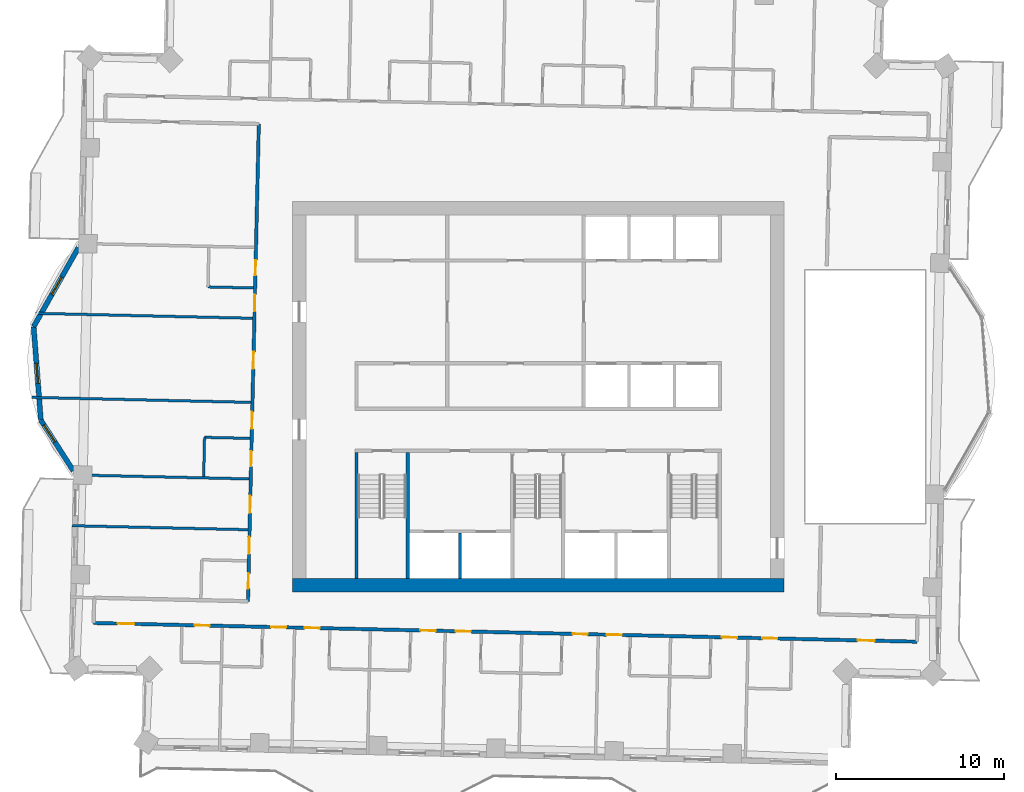
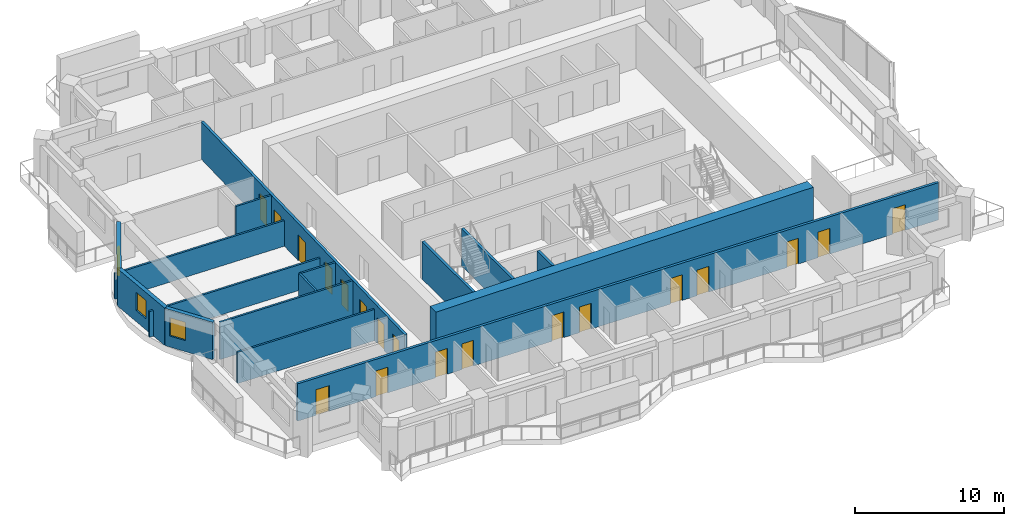
# One storey, part 7 of 16: 19 doors, 16 walls, 3 windows, 22 openings.
"""IFC4 building model written with IfcOpenShell, lengths in metres."""

import ifcopenshell
import ifcopenshell.guid

model = None  # the IFC model being written
_history = None  # IfcOwnerHistory: only IFC2X3 demands one
_inside = {}  # id of a spatial element -> (the spatial element, [elements in it])
_under = {}  # id of a project, library or spatial element -> (it, [spatial elements below it])
_declared = {}  # id of a project -> (the project, [libraries it declares])
_typed = {}  # id of a type object -> (the type object, [elements of that type])
_made_of = {}  # id of a material, layer set ... -> (it, [elements and type objects made of it])


def new_model(schema):
    """Start an empty IFC model of exactly this schema.

    Asked for "IFC4X3", IfcOpenShell would pick the latest addendum, in which some entities
    have other attributes; the version numbers below select the first issue.
    IFC2X3 requires an IfcOwnerHistory on every rooted entity: one is made here for all.
    """
    global model, _history
    if schema == "IFC4X3":
        model = ifcopenshell.file(schema_version=(4, 3, 0, 0))
    else:
        model = ifcopenshell.file(schema=schema)
    _inside.clear()
    _under.clear()
    _declared.clear()
    _typed.clear()
    _made_of.clear()
    _history = None
    if model.schema == "IFC2X3":
        org = make("IfcOrganization", Name="unknown")
        user = make(
            "IfcPersonAndOrganization",
            ThePerson=make("IfcPerson", FamilyName="unknown"),
            TheOrganization=org,
        )
        app = make(
            "IfcApplication",
            ApplicationDeveloper=org,
            Version="unknown",
            ApplicationFullName="unknown",
            ApplicationIdentifier="unknown",
        )
        _history = make(
            "IfcOwnerHistory",
            OwningUser=user,
            OwningApplication=app,
            ChangeAction="ADDED",
            CreationDate=0,
        )
    return model


def make(cls, **values):
    """One entity of the class cls with the attributes given. An attribute that is None is left unset."""
    return model.create_entity(
        cls, **{name: value for name, value in values.items() if value is not None}
    )


def rooted(cls, **values):
    """An entity with a GlobalId (a new one), such as an element, a storey or a relation."""
    return make(cls, GlobalId=ifcopenshell.guid.new(), OwnerHistory=_history, **values)


def si_unit(unit_type, name, prefix=None):
    """IfcSIUnit, for example si_unit("LENGTHUNIT", "METRE", prefix="MILLI")."""
    return make("IfcSIUnit", UnitType=unit_type, Prefix=prefix, Name=name)


def assignment(units):
    """IfcUnitAssignment: the units of a project."""
    return None if units is None else make("IfcUnitAssignment", Units=units)


def point(xyz):
    """IfcCartesianPoint."""
    return None if xyz is None else make("IfcCartesianPoint", Coordinates=xyz)


def direction(xyz):
    """IfcDirection."""
    return None if xyz is None else make("IfcDirection", DirectionRatios=xyz)


def frame(location, z_axis=None, x_axis=None):
    """IfcAxis2Placement3D, a coordinate frame: its origin and axes. An axis left out is left unset."""
    return make(
        "IfcAxis2Placement3D",
        Location=point(location),
        Axis=direction(z_axis),
        RefDirection=direction(x_axis),
    )


def frame_2d(location, x_axis=None):
    """IfcAxis2Placement2D, a coordinate frame in the plane: its origin and x axis."""
    return make(
        "IfcAxis2Placement2D", Location=point(location), RefDirection=direction(x_axis)
    )


def origin():
    """The frame at (0, 0, 0) with its axes left unset."""
    return frame((0.0, 0.0, 0.0))


def place(relative_to, where):
    """IfcLocalPlacement: puts the frame where relative to a parent placement (None: the world)."""
    return make(
        "IfcLocalPlacement", PlacementRelTo=relative_to, RelativePlacement=where
    )


def context(
    kind, dimensions, precision=None, world=None, true_north=None, identifier=None
):
    """IfcGeometricRepresentationContext, for example the 3D "Model" context."""
    return make(
        "IfcGeometricRepresentationContext",
        ContextIdentifier=identifier,
        ContextType=kind,
        CoordinateSpaceDimension=dimensions,
        Precision=precision,
        WorldCoordinateSystem=world,
        TrueNorth=true_north,
    )


def subcontext(parent, identifier, kind, view, scale=None):
    """IfcGeometricRepresentationSubContext, for example "Body" below "Model"."""
    return make(
        "IfcGeometricRepresentationSubContext",
        ContextIdentifier=identifier,
        ContextType=kind,
        ParentContext=parent,
        TargetScale=scale,
        TargetView=view,
    )


def project(units=None, contexts=None):
    """IfcProject with its units and contexts."""
    return rooted(
        "IfcProject",
        Name="project",
        RepresentationContexts=contexts,
        UnitsInContext=assignment(units),
    )


def spatial(cls, under=None, at=None, **own):
    """A site, building, storey or space (cls), placed at a placement, below another one or the project."""
    s = rooted(cls, ObjectPlacement=at, **own)
    if under is not None:
        _under.setdefault(under.id(), (under, []))[1].append(s)
    return s


def profile(cls, at=None, kind="AREA", **sizes):
    """A parametric profile (cls). Its sizes go by their IFC names, for example OverallWidth=200.0."""
    return make(cls, ProfileType=kind, Position=at, **sizes)


def rectangle(**sizes):
    """IfcRectangleProfileDef."""
    return profile("IfcRectangleProfileDef", **sizes)


def extrude(swept, where, along, depth):
    """IfcExtrudedAreaSolid: the profile swept, set in the frame where, extruded along a direction by depth."""
    return make(
        "IfcExtrudedAreaSolid",
        SweptArea=swept,
        Position=where,
        ExtrudedDirection=direction(along),
        Depth=depth,
    )


def shape(context_of_items, identifier, shape_type, items):
    """IfcShapeRepresentation: the items that make up one representation, for example the "Body"."""
    return make(
        "IfcShapeRepresentation",
        ContextOfItems=context_of_items,
        RepresentationIdentifier=identifier,
        RepresentationType=shape_type,
        Items=items,
    )


def material(Name=None, Category=None):
    """IfcMaterial."""
    return make("IfcMaterial", Name=Name, Category=Category)


def layer(
    of_material, thickness, ventilated=None, Name=None, Category=None, Priority=None
):
    """IfcMaterialLayer: one layer of a wall or slab, of a material (None: an air gap)."""
    return make(
        "IfcMaterialLayer",
        Material=of_material,
        LayerThickness=thickness,
        IsVentilated=ventilated,
        Name=Name,
        Category=Category,
        Priority=Priority,
    )


def layer_set(layers, Name=None):
    """IfcMaterialLayerSet."""
    return make("IfcMaterialLayerSet", MaterialLayers=layers, LayerSetName=Name)


def made_of(thing, what):
    """Note that an element or type object is made of a material, layer set ...; save() writes the relation."""
    if what is not None:
        _made_of.setdefault(what.id(), (what, []))[1].append(thing)
    return thing


def type_object(cls, material=None, **own):
    """A type object (cls), such as IfcWallType, which elements share."""
    return made_of(rooted(cls, **own), material)


def element(
    cls,
    number,
    at=None,
    inside=None,
    cuts=None,
    type_object=None,
    material=None,
    context=None,
    identifier="Body",
    shape_type=None,
    held_by="IfcProductDefinitionShape",
    body=None,
    shapes=None,
    **own,
):
    """One element of the class cls, such as IfcWall. Its Tag is "e" and its number.

    at: its placement. inside: the storey or other place that contains it. cuts: it is an
    opening in that element (IfcRelVoidsElement). A single representation is given by context,
    identifier, shape_type and body (its items); several are given by shapes. held_by: the class
    of the entity that holds the representations. save() writes the other relations.
    """
    e = rooted(cls, Tag="e%d" % number, ObjectPlacement=at, **own)
    if body is not None:
        shapes = [shape(context, identifier, shape_type, body)]
    if shapes is not None:
        e.Representation = make(held_by, Representations=shapes)
    if inside is not None:
        _inside.setdefault(inside.id(), (inside, []))[1].append(e)
    if cuts is not None:
        rooted(
            "IfcRelVoidsElement", RelatingBuildingElement=cuts, RelatedOpeningElement=e
        )
    if type_object is not None:
        _typed.setdefault(type_object.id(), (type_object, []))[1].append(e)
    return made_of(e, material)


def fill(opening, filler):
    """IfcRelFillsElement: the door or window that sits in an opening."""
    return rooted(
        "IfcRelFillsElement",
        RelatingOpeningElement=opening,
        RelatedBuildingElement=filler,
    )


def aggregate(whole, parts):
    """IfcRelAggregates: a whole, such as a stair, and the parts it consists of."""
    return rooted("IfcRelAggregates", RelatingObject=whole, RelatedObjects=parts)


def save(model, path):
    """Write the relations noted so far, then the file.

    IfcRelAggregates (storeys below a building ...), IfcRelContainedInSpatialStructure (elements
    in a storey), IfcRelDefinesByType, IfcRelAssociatesMaterial and IfcRelDeclares: one each for
    every whole, place, type object, material and project.
    """
    for whole, parts in _under.values():
        aggregate(whole, parts)
    for where, things in _inside.values():
        rooted(
            "IfcRelContainedInSpatialStructure",
            RelatedElements=things,
            RelatingStructure=where,
        )
    for kind, things in _typed.values():
        rooted("IfcRelDefinesByType", RelatedObjects=things, RelatingType=kind)
    for what, things in _made_of.values():
        rooted("IfcRelAssociatesMaterial", RelatedObjects=things, RelatingMaterial=what)
    for by, libraries in _declared.values():
        rooted("IfcRelDeclares", RelatingContext=by, RelatedDefinitions=libraries)
    model.write(path)


model = new_model("IFC4")

# Units and contexts
model_context = context("Model", 3, precision=1e-05, world=origin(), true_north=direction((0.0, 1.0)))
body_context = subcontext(model_context, "Body", "Model", "MODEL_VIEW")
ifc_project = project(units=[si_unit("LENGTHUNIT", "METRE"), si_unit("AREAUNIT", "SQUARE_METRE"), si_unit("VOLUMEUNIT", "CUBIC_METRE"), si_unit("PLANEANGLEUNIT", "RADIAN"), si_unit("MASSUNIT", "GRAM", prefix="KILO")], contexts=[model_context])

# Site, building, storey
site_placement = place(None, origin())
site = spatial("IfcSite", under=ifc_project, at=site_placement, CompositionType="ELEMENT")
building_placement = place(site_placement, origin())
building = spatial("IfcBuilding", under=site, at=building_placement, Name="Mangrove Gate Tower", CompositionType="ELEMENT")
storey_placement = place(building_placement, frame((0.0, 0.0, 212.300048828125)))
storey = spatial("IfcBuildingStorey", under=building, at=storey_placement, Name="L54", CompositionType="ELEMENT", Elevation=212.300048828125)

# Walls
ifc_material_1 = material(Name="Concrete C60/75", Category="concrete")
ifc_layer_1 = layer(ifc_material_1, 0.199951171875)
ifc_layer_set_1 = layer_set([ifc_layer_1], Name="Core shaft wall 200 C60/75")
wall_type_1 = type_object("IfcWallType", Name="Core shaft wall 200 C60/75", PredefinedType="SHEAR", material=ifc_layer_set_1)
wall_1_placement = place(storey_placement, frame((-4.64990234375, -10.800048828125, 0.0), z_axis=(0.0, 0.0, 1.0), x_axis=(0.0, 1.0, 0.0)))
element("IfcWall", 1, at=wall_1_placement, inside=storey, type_object=wall_type_1, Name="WALL-L54-CORE-16", PredefinedType="SHEAR", context=body_context, shape_type="SweptSolid", body=[
    extrude(rectangle(XDim=2.699951171875, YDim=0.199951171875, at=frame_2d((1.35009765625, 0.0))), origin(), (0.0, 0.0, 1.0), 3.050048828125),
])
ifc_material_2 = material(Name="Concrete C60/75", Category="concrete")
ifc_layer_2 = layer(ifc_material_2, 0.199951171875)
ifc_layer_set_2 = layer_set([ifc_layer_2], Name="Core stair wall 200 C60/75")
wall_type_2 = type_object("IfcWallType", Name="Core stair wall 200 C60/75", PredefinedType="SHEAR", material=ifc_layer_set_2)
for number, where, z_axis, x_axis, name in (
    (2, (-10.800048828125, -10.800048828125, 0.0), (0.0, 0.0, 1.0), (0.0, 1.0, 0.0), "WALL-L54-CORE-9"),
    (3, (-7.75, -10.800048828125, 0.0), (0.0, 0.0, 1.0), (0.0, 1.0, 0.0), "WALL-L54-CORE-10"),
):
    element("IfcWall", number, at=place(storey_placement, frame(where, z_axis=z_axis, x_axis=x_axis)), inside=storey, type_object=wall_type_2, Name=name, PredefinedType="SHEAR", context=body_context, shape_type="SweptSolid", body=[
        extrude(rectangle(XDim=7.5, YDim=0.199951171875, at=frame_2d((3.75, 0.0))), origin(), (0.0, 0.0, 1.0), 3.050048828125),
    ])
ifc_material_3 = material(Name="Concrete C60/75", Category="concrete")
ifc_layer_3 = layer(ifc_material_3, 0.800048828125)
ifc_layer_set_3 = layer_set([ifc_layer_3], Name="Core wall 800 C60/75")
wall_type_3 = type_object("IfcWallType", Name="Core wall 800 C60/75", PredefinedType="SHEAR", material=ifc_layer_set_3)
wall_2_placement = place(storey_placement, frame((-14.60009765625, -11.199951171875, 0.0), z_axis=(0.0, 0.0, 1.0), x_axis=(1.0, 0.0, 0.0)))
element("IfcWall", 4, at=wall_2_placement, inside=storey, type_object=wall_type_3, Name="WALL-L54-CORE-1", PredefinedType="SHEAR", context=body_context, shape_type="SweptSolid", body=[
    extrude(rectangle(XDim=29.2001953125, YDim=0.800048828125, at=frame_2d((14.60009765625, 0.0))), origin(), (0.0, 0.0, 1.0), 3.599853515625),
])

# Wall, openings, doors
ifc_material_4 = material(Name="Gypsum board on steel stud, EI 60", Category="steel")
ifc_layer_4 = layer(ifc_material_4, 0.199951171875)
ifc_layer_set_4 = layer_set([ifc_layer_4], Name="Corridor wall EI 60")
wall_type_4 = type_object("IfcWallType", Name="Corridor wall EI 60", PredefinedType="PARTITIONING", material=ifc_layer_set_4)
wall_3_placement = place(storey_placement, frame((-26.4208984375, -13.44091796875, 0.0), z_axis=(0.0, 0.0, 1.0), x_axis=(0.999742754064, -0.022680954485, 0.0)))
wall_3 = element("IfcWall", 5, at=wall_3_placement, inside=storey, type_object=wall_type_4, Name="WALL-L54-024", PredefinedType="PARTITIONING", context=body_context, shape_type="SweptSolid", body=[
    extrude(rectangle(XDim=48.944580078125, YDim=0.199951171875, at=frame_2d((24.47216796875, 0.0))), origin(), (0.0, 0.0, 1.0), 3.050048828125),
])
opening_1_placement = place(wall_3_placement, frame((1.425048828125, 0.0, 0.0)))
opening_1 = element("IfcOpeningElement", 6, at=opening_1_placement, cuts=wall_3, Name="Opening AD", PredefinedType="OPENING", context=body_context, shape_type="SweptSolid", body=[
    extrude(rectangle(XDim=1.0, YDim=2.10009765625, at=frame_2d((0.5, 1.050048828125))), frame((0.0, 0.10986328125, 0.0), z_axis=(0.0, -1.0, 0.0), x_axis=(1.0, 0.0, 0.0)), (0.0, 0.0, 1.0), 0.219970703125),
])
opening_2_placement = place(wall_3_placement, frame((6.0, 0.0, 0.0)))
opening_2 = element("IfcOpeningElement", 7, at=opening_2_placement, cuts=wall_3, Name="Opening SD", PredefinedType="OPENING", context=body_context, shape_type="SweptSolid", body=[
    extrude(rectangle(XDim=0.89990234375, YDim=2.10009765625, at=frame_2d((0.449951171875, 1.050048828125))), frame((0.0, 0.10986328125, 0.0), z_axis=(0.0, -1.0, 0.0), x_axis=(1.0, 0.0, 0.0)), (0.0, 0.0, 1.0), 0.219970703125),
])
opening_3_placement = place(wall_3_placement, frame((10.550048828125, 0.0, 0.0)))
opening_3 = element("IfcOpeningElement", 8, at=opening_3_placement, cuts=wall_3, Name="Opening BD", PredefinedType="OPENING", context=body_context, shape_type="SweptSolid", body=[
    extrude(rectangle(XDim=0.89990234375, YDim=2.10009765625, at=frame_2d((0.449951171875, 1.050048828125))), frame((0.0, 0.10986328125, 0.0), z_axis=(0.0, -1.0, 0.0), x_axis=(1.0, 0.0, 0.0)), (0.0, 0.0, 1.0), 0.219970703125),
])
opening_4_placement = place(wall_3_placement, frame((12.550048828125, 0.0, 0.0)))
opening_4 = element("IfcOpeningElement", 9, at=opening_4_placement, cuts=wall_3, Name="Opening BD", PredefinedType="OPENING", context=body_context, shape_type="SweptSolid", body=[
    extrude(rectangle(XDim=0.89990234375, YDim=2.10009765625, at=frame_2d((0.449951171875, 1.050048828125))), frame((0.0, 0.10986328125, 0.0), z_axis=(0.0, -1.0, 0.0), x_axis=(1.0, 0.0, 0.0)), (0.0, 0.0, 1.0), 0.219970703125),
])
opening_5_placement = place(wall_3_placement, frame((19.425048828125, 0.0, 0.0)))
opening_5 = element("IfcOpeningElement", 10, at=opening_5_placement, cuts=wall_3, Name="Opening BD", PredefinedType="OPENING", context=body_context, shape_type="SweptSolid", body=[
    extrude(rectangle(XDim=0.89990234375, YDim=2.10009765625, at=frame_2d((0.449951171875, 1.050048828125))), frame((0.0, 0.10986328125, 0.0), z_axis=(0.0, -1.0, 0.0), x_axis=(1.0, 0.0, 0.0)), (0.0, 0.0, 1.0), 0.219970703125),
])
opening_6_placement = place(wall_3_placement, frame((21.52490234375, 0.0, 0.0)))
opening_6 = element("IfcOpeningElement", 11, at=opening_6_placement, cuts=wall_3, Name="Opening BD", PredefinedType="OPENING", context=body_context, shape_type="SweptSolid", body=[
    extrude(rectangle(XDim=0.89990234375, YDim=2.10009765625, at=frame_2d((0.449951171875, 1.050048828125))), frame((0.0, 0.10986328125, 0.0), z_axis=(0.0, -1.0, 0.0), x_axis=(1.0, 0.0, 0.0)), (0.0, 0.0, 1.0), 0.219970703125),
])
opening_7_placement = place(wall_3_placement, frame((28.47509765625, 0.0, 0.0)))
opening_7 = element("IfcOpeningElement", 12, at=opening_7_placement, cuts=wall_3, Name="Opening BD", PredefinedType="OPENING", context=body_context, shape_type="SweptSolid", body=[
    extrude(rectangle(XDim=0.89990234375, YDim=2.10009765625, at=frame_2d((0.449951171875, 1.050048828125))), frame((0.0, 0.10986328125, 0.0), z_axis=(0.0, -1.0, 0.0), x_axis=(1.0, 0.0, 0.0)), (0.0, 0.0, 1.0), 0.219970703125),
])
opening_8_placement = place(wall_3_placement, frame((30.5, 0.0, 0.0)))
opening_8 = element("IfcOpeningElement", 13, at=opening_8_placement, cuts=wall_3, Name="Opening BD", PredefinedType="OPENING", context=body_context, shape_type="SweptSolid", body=[
    extrude(rectangle(XDim=0.89990234375, YDim=2.10009765625, at=frame_2d((0.449951171875, 1.050048828125))), frame((0.0, 0.10986328125, 0.0), z_axis=(0.0, -1.0, 0.0), x_axis=(1.0, 0.0, 0.0)), (0.0, 0.0, 1.0), 0.219970703125),
])
opening_9_placement = place(wall_3_placement, frame((37.35009765625, 0.0, 0.0)))
opening_9 = element("IfcOpeningElement", 14, at=opening_9_placement, cuts=wall_3, Name="Opening BD", PredefinedType="OPENING", context=body_context, shape_type="SweptSolid", body=[
    extrude(rectangle(XDim=0.89990234375, YDim=2.10009765625, at=frame_2d((0.449951171875, 1.050048828125))), frame((0.0, 0.10986328125, 0.0), z_axis=(0.0, -1.0, 0.0), x_axis=(1.0, 0.0, 0.0)), (0.0, 0.0, 1.0), 0.219970703125),
])
opening_10_placement = place(wall_3_placement, frame((45.422119140625, 0.0, 0.0)))
opening_10 = element("IfcOpeningElement", 15, at=opening_10_placement, cuts=wall_3, Name="Opening AD", PredefinedType="OPENING", context=body_context, shape_type="SweptSolid", body=[
    extrude(rectangle(XDim=1.0, YDim=2.10009765625, at=frame_2d((0.5, 1.050048828125))), frame((0.0, 0.10986328125, 0.0), z_axis=(0.0, -1.0, 0.0), x_axis=(1.0, 0.0, 0.0)), (0.0, 0.0, 1.0), 0.219970703125),
])
opening_11_placement = place(wall_3_placement, frame((39.75, 0.0, 0.0)))
opening_11 = element("IfcOpeningElement", 16, at=opening_11_placement, cuts=wall_3, Name="Opening SD", PredefinedType="OPENING", context=body_context, shape_type="SweptSolid", body=[
    extrude(rectangle(XDim=0.89990234375, YDim=2.10009765625, at=frame_2d((0.449951171875, 1.050048828125))), frame((0.0, 0.10986328125, 0.0), z_axis=(0.0, -1.0, 0.0), x_axis=(1.0, 0.0, 0.0)), (0.0, 0.0, 1.0), 0.219970703125),
])
ifc_material_5 = material(Name="Timber door leaf", Category="wood")
door_type_1 = type_object("IfcDoorType", Name="Amenity door 1000", OperationType="SINGLE_SWING_LEFT", PredefinedType="DOOR", material=ifc_material_5)
door_1_placement = place(opening_1_placement, origin())
door_1 = element("IfcDoor", 17, at=door_1_placement, inside=storey, type_object=door_type_1, Name="DOOR-L54-LNG-c1a", OperationType="SINGLE_SWING_LEFT", OverallHeight=2.10009765625, OverallWidth=1.0, PredefinedType="DOOR", context=body_context, shape_type="SweptSolid", body=[
    extrude(rectangle(XDim=1.0, YDim=2.10009765625, at=frame_2d((0.5, 1.050048828125))), frame((0.0, 0.02490234375, 0.0), z_axis=(0.0, -1.0, 0.0), x_axis=(1.0, 0.0, 0.0)), (0.0, 0.0, 1.0), 0.050048828125),
])
fill(opening_1, door_1)
door_2_placement = place(opening_10_placement, origin())
door_2 = element("IfcDoor", 18, at=door_2_placement, inside=storey, type_object=door_type_1, Name="DOOR-L54-GAM-c3a", OperationType="SINGLE_SWING_RIGHT", OverallHeight=2.10009765625, OverallWidth=1.0, PredefinedType="DOOR", context=body_context, shape_type="SweptSolid", body=[
    extrude(rectangle(XDim=1.0, YDim=2.10009765625, at=frame_2d((0.5, 1.050048828125))), frame((0.0, 0.02490234375, 0.0), z_axis=(0.0, -1.0, 0.0), x_axis=(1.0, 0.0, 0.0)), (0.0, 0.0, 1.0), 0.050048828125),
])
fill(opening_10, door_2)
ifc_material_6 = material(Name="Timber door leaf", Category="wood")
door_type_2 = type_object("IfcDoorType", Name="Bedroom door 900", OperationType="SINGLE_SWING_LEFT", PredefinedType="DOOR", material=ifc_material_6)
door_3_placement = place(opening_3_placement, origin())
door_3 = element("IfcDoor", 19, at=door_3_placement, inside=storey, type_object=door_type_2, Name="DOOR-L54-BED-c101", OperationType="SINGLE_SWING_LEFT", OverallHeight=2.10009765625, OverallWidth=0.89990234375, PredefinedType="DOOR", context=body_context, shape_type="SweptSolid", body=[
    extrude(rectangle(XDim=0.89990234375, YDim=2.10009765625, at=frame_2d((0.449951171875, 1.050048828125))), frame((0.0, 0.02490234375, 0.0), z_axis=(0.0, -1.0, 0.0), x_axis=(1.0, 0.0, 0.0)), (0.0, 0.0, 1.0), 0.050048828125),
])
fill(opening_3, door_3)
door_4_placement = place(opening_4_placement, origin())
door_4 = element("IfcDoor", 20, at=door_4_placement, inside=storey, type_object=door_type_2, Name="DOOR-L54-BED-c102", OperationType="SINGLE_SWING_RIGHT", OverallHeight=2.10009765625, OverallWidth=0.89990234375, PredefinedType="DOOR", context=body_context, shape_type="SweptSolid", body=[
    extrude(rectangle(XDim=0.89990234375, YDim=2.10009765625, at=frame_2d((0.449951171875, 1.050048828125))), frame((0.0, 0.02490234375, 0.0), z_axis=(0.0, -1.0, 0.0), x_axis=(1.0, 0.0, 0.0)), (0.0, 0.0, 1.0), 0.050048828125),
])
fill(opening_4, door_4)
door_5_placement = place(opening_5_placement, origin())
door_5 = element("IfcDoor", 21, at=door_5_placement, inside=storey, type_object=door_type_2, Name="DOOR-L54-BED-c103", OperationType="SINGLE_SWING_LEFT", OverallHeight=2.10009765625, OverallWidth=0.89990234375, PredefinedType="DOOR", context=body_context, shape_type="SweptSolid", body=[
    extrude(rectangle(XDim=0.89990234375, YDim=2.10009765625, at=frame_2d((0.449951171875, 1.050048828125))), frame((0.0, 0.02490234375, 0.0), z_axis=(0.0, -1.0, 0.0), x_axis=(1.0, 0.0, 0.0)), (0.0, 0.0, 1.0), 0.050048828125),
])
fill(opening_5, door_5)
door_6_placement = place(opening_6_placement, origin())
door_6 = element("IfcDoor", 22, at=door_6_placement, inside=storey, type_object=door_type_2, Name="DOOR-L54-BED-c204", OperationType="SINGLE_SWING_RIGHT", OverallHeight=2.10009765625, OverallWidth=0.89990234375, PredefinedType="DOOR", context=body_context, shape_type="SweptSolid", body=[
    extrude(rectangle(XDim=0.89990234375, YDim=2.10009765625, at=frame_2d((0.449951171875, 1.050048828125))), frame((0.0, 0.02490234375, 0.0), z_axis=(0.0, -1.0, 0.0), x_axis=(1.0, 0.0, 0.0)), (0.0, 0.0, 1.0), 0.050048828125),
])
fill(opening_6, door_6)
door_7_placement = place(opening_7_placement, origin())
door_7 = element("IfcDoor", 23, at=door_7_placement, inside=storey, type_object=door_type_2, Name="DOOR-L54-BED-c205", OperationType="SINGLE_SWING_LEFT", OverallHeight=2.10009765625, OverallWidth=0.89990234375, PredefinedType="DOOR", context=body_context, shape_type="SweptSolid", body=[
    extrude(rectangle(XDim=0.89990234375, YDim=2.10009765625, at=frame_2d((0.449951171875, 1.050048828125))), frame((0.0, 0.02490234375, 0.0), z_axis=(0.0, -1.0, 0.0), x_axis=(1.0, 0.0, 0.0)), (0.0, 0.0, 1.0), 0.050048828125),
])
fill(opening_7, door_7)
door_8_placement = place(opening_8_placement, origin())
door_8 = element("IfcDoor", 24, at=door_8_placement, inside=storey, type_object=door_type_2, Name="DOOR-L54-BED-c206", OperationType="SINGLE_SWING_RIGHT", OverallHeight=2.10009765625, OverallWidth=0.89990234375, PredefinedType="DOOR", context=body_context, shape_type="SweptSolid", body=[
    extrude(rectangle(XDim=0.89990234375, YDim=2.10009765625, at=frame_2d((0.449951171875, 1.050048828125))), frame((0.0, 0.02490234375, 0.0), z_axis=(0.0, -1.0, 0.0), x_axis=(1.0, 0.0, 0.0)), (0.0, 0.0, 1.0), 0.050048828125),
])
fill(opening_8, door_8)
door_9_placement = place(opening_9_placement, origin())
door_9 = element("IfcDoor", 25, at=door_9_placement, inside=storey, type_object=door_type_2, Name="DOOR-L54-BED-c307", OperationType="SINGLE_SWING_LEFT", OverallHeight=2.10009765625, OverallWidth=0.89990234375, PredefinedType="DOOR", context=body_context, shape_type="SweptSolid", body=[
    extrude(rectangle(XDim=0.89990234375, YDim=2.10009765625, at=frame_2d((0.449951171875, 1.050048828125))), frame((0.0, 0.02490234375, 0.0), z_axis=(0.0, -1.0, 0.0), x_axis=(1.0, 0.0, 0.0)), (0.0, 0.0, 1.0), 0.050048828125),
])
fill(opening_9, door_9)
ifc_material_7 = material(Name="Timber door leaf", Category="wood")
door_type_3 = type_object("IfcDoorType", Name="Service room door 900", OperationType="SINGLE_SWING_LEFT", PredefinedType="DOOR", material=ifc_material_7)
door_10_placement = place(opening_2_placement, origin())
door_10 = element("IfcDoor", 26, at=door_10_placement, inside=storey, type_object=door_type_3, Name="DOOR-L54-LIN-c1a", OperationType="SINGLE_SWING_LEFT", OverallHeight=2.10009765625, OverallWidth=0.89990234375, PredefinedType="DOOR", context=body_context, shape_type="SweptSolid", body=[
    extrude(rectangle(XDim=0.89990234375, YDim=2.10009765625, at=frame_2d((0.449951171875, 1.050048828125))), frame((0.0, 0.02490234375, 0.0), z_axis=(0.0, -1.0, 0.0), x_axis=(1.0, 0.0, 0.0)), (0.0, 0.0, 1.0), 0.050048828125),
])
fill(opening_2, door_10)
door_11_placement = place(opening_11_placement, origin())
door_11 = element("IfcDoor", 27, at=door_11_placement, inside=storey, type_object=door_type_3, Name="DOOR-L54-AWC-c3a", OperationType="SINGLE_SWING_RIGHT", OverallHeight=2.10009765625, OverallWidth=0.89990234375, PredefinedType="DOOR", context=body_context, shape_type="SweptSolid", body=[
    extrude(rectangle(XDim=0.89990234375, YDim=2.10009765625, at=frame_2d((0.449951171875, 1.050048828125))), frame((0.0, 0.02490234375, 0.0), z_axis=(0.0, -1.0, 0.0), x_axis=(1.0, 0.0, 0.0)), (0.0, 0.0, 1.0), 0.050048828125),
])
fill(opening_11, door_11)

wall_4_placement = place(storey_placement, frame((-17.2470703125, -12.14892578125, 0.0), z_axis=(0.0, 0.0, 1.0), x_axis=(0.022698146637, 0.999742363881, 0.0)))
wall_4 = element("IfcWall", 28, at=wall_4_placement, inside=storey, type_object=wall_type_4, Name="WALL-L54-030", PredefinedType="PARTITIONING", context=body_context, shape_type="SweptSolid", body=[
    extrude(rectangle(XDim=28.374267578125, YDim=0.199951171875, at=frame_2d((14.18701171875, 0.0))), origin(), (0.0, 0.0, 1.0), 3.050048828125),
])
opening_12_placement = place(wall_4_placement, frame((17.22509765625, 0.0, 0.0)))
opening_12 = element("IfcOpeningElement", 29, at=opening_12_placement, cuts=wall_4, Name="Opening AD", PredefinedType="OPENING", context=body_context, shape_type="SweptSolid", body=[
    extrude(rectangle(XDim=1.0, YDim=2.10009765625, at=frame_2d((0.5, 1.050048828125))), frame((0.0, 0.10986328125, 0.0), z_axis=(0.0, -1.0, 0.0), x_axis=(1.0, 0.0, 0.0)), (0.0, 0.0, 1.0), 0.219970703125),
])
opening_13_placement = place(wall_4_placement, frame((19.375, 0.0, 0.0)))
opening_13 = element("IfcOpeningElement", 30, at=opening_13_placement, cuts=wall_4, Name="Opening SD", PredefinedType="OPENING", context=body_context, shape_type="SweptSolid", body=[
    extrude(rectangle(XDim=0.89990234375, YDim=2.10009765625, at=frame_2d((0.449951171875, 1.050048828125))), frame((0.0, 0.10986328125, 0.0), z_axis=(0.0, -1.0, 0.0), x_axis=(1.0, 0.0, 0.0)), (0.0, 0.0, 1.0), 0.219970703125),
])
opening_14_placement = place(wall_4_placement, frame((13.822021484375, 0.0, 0.0)))
opening_14 = element("IfcOpeningElement", 31, at=opening_14_placement, cuts=wall_4, Name="Opening AD", PredefinedType="OPENING", context=body_context, shape_type="SweptSolid", body=[
    extrude(rectangle(XDim=1.0, YDim=2.10009765625, at=frame_2d((0.5, 1.050048828125))), frame((0.0, 0.10986328125, 0.0), z_axis=(0.0, -1.0, 0.0), x_axis=(1.0, 0.0, 0.0)), (0.0, 0.0, 1.0), 0.219970703125),
])
opening_15_placement = place(wall_4_placement, frame((10.25, 0.0, 0.0)))
opening_15 = element("IfcOpeningElement", 32, at=opening_15_placement, cuts=wall_4, Name="Opening AD", PredefinedType="OPENING", context=body_context, shape_type="SweptSolid", body=[
    extrude(rectangle(XDim=1.0, YDim=2.10009765625, at=frame_2d((0.5, 1.050048828125))), frame((0.0, 0.10986328125, 0.0), z_axis=(0.0, -1.0, 0.0), x_axis=(1.0, 0.0, 0.0)), (0.0, 0.0, 1.0), 0.219970703125),
])
opening_16_placement = place(wall_4_placement, frame((8.02490234375, 0.0, 0.0)))
opening_16 = element("IfcOpeningElement", 33, at=opening_16_placement, cuts=wall_4, Name="Opening SD", PredefinedType="OPENING", context=body_context, shape_type="SweptSolid", body=[
    extrude(rectangle(XDim=0.89990234375, YDim=2.10009765625, at=frame_2d((0.449951171875, 1.050048828125))), frame((0.0, 0.10986328125, 0.0), z_axis=(0.0, -1.0, 0.0), x_axis=(1.0, 0.0, 0.0)), (0.0, 0.0, 1.0), 0.219970703125),
])
opening_17_placement = place(wall_4_placement, frame((5.261962890625, 0.0, 0.0)))
opening_17 = element("IfcOpeningElement", 34, at=opening_17_placement, cuts=wall_4, Name="Opening AD", PredefinedType="OPENING", context=body_context, shape_type="SweptSolid", body=[
    extrude(rectangle(XDim=1.0, YDim=2.10009765625, at=frame_2d((0.5, 1.050048828125))), frame((0.0, 0.10986328125, 0.0), z_axis=(0.0, -1.0, 0.0), x_axis=(1.0, 0.0, 0.0)), (0.0, 0.0, 1.0), 0.219970703125),
])
opening_18_placement = place(wall_4_placement, frame((2.824951171875, 0.0, 0.0)))
opening_18 = element("IfcOpeningElement", 35, at=opening_18_placement, cuts=wall_4, Name="Opening AD", PredefinedType="OPENING", context=body_context, shape_type="SweptSolid", body=[
    extrude(rectangle(XDim=1.0, YDim=2.10009765625, at=frame_2d((0.5, 1.050048828125))), frame((0.0, 0.10986328125, 0.0), z_axis=(0.0, -1.0, 0.0), x_axis=(1.0, 0.0, 0.0)), (0.0, 0.0, 1.0), 0.219970703125),
])
opening_19_placement = place(wall_4_placement, frame((0.75, 0.0, 0.0)))
opening_19 = element("IfcOpeningElement", 36, at=opening_19_placement, cuts=wall_4, Name="Opening SD", PredefinedType="OPENING", context=body_context, shape_type="SweptSolid", body=[
    extrude(rectangle(XDim=0.89990234375, YDim=2.10009765625, at=frame_2d((0.449951171875, 1.050048828125))), frame((0.0, 0.10986328125, 0.0), z_axis=(0.0, -1.0, 0.0), x_axis=(1.0, 0.0, 0.0)), (0.0, 0.0, 1.0), 0.219970703125),
])
door_12_placement = place(opening_12_placement, origin())
door_12 = element("IfcDoor", 37, at=door_12_placement, inside=storey, type_object=door_type_1, Name="DOOR-L54-STU-c5a", OperationType="SINGLE_SWING_RIGHT", OverallHeight=2.10009765625, OverallWidth=1.0, PredefinedType="DOOR", context=body_context, shape_type="SweptSolid", body=[
    extrude(rectangle(XDim=1.0, YDim=2.10009765625, at=frame_2d((0.5, 1.050048828125))), frame((0.0, 0.02490234375, 0.0), z_axis=(0.0, -1.0, 0.0), x_axis=(1.0, 0.0, 0.0)), (0.0, 0.0, 1.0), 0.050048828125),
])
fill(opening_12, door_12)
door_13_placement = place(opening_14_placement, origin())
door_13 = element("IfcDoor", 38, at=door_13_placement, inside=storey, type_object=door_type_1, Name="DOOR-L54-LNG-c5c", OperationType="SINGLE_SWING_LEFT", OverallHeight=2.10009765625, OverallWidth=1.0, PredefinedType="DOOR", context=body_context, shape_type="SweptSolid", body=[
    extrude(rectangle(XDim=1.0, YDim=2.10009765625, at=frame_2d((0.5, 1.050048828125))), frame((0.0, 0.02490234375, 0.0), z_axis=(0.0, -1.0, 0.0), x_axis=(1.0, 0.0, 0.0)), (0.0, 0.0, 1.0), 0.050048828125),
])
fill(opening_14, door_13)
door_14_placement = place(opening_15_placement, origin())
door_14 = element("IfcDoor", 39, at=door_14_placement, inside=storey, type_object=door_type_1, Name="DOOR-L54-LNG-c5d", OperationType="SINGLE_SWING_RIGHT", OverallHeight=2.10009765625, OverallWidth=1.0, PredefinedType="DOOR", context=body_context, shape_type="SweptSolid", body=[
    extrude(rectangle(XDim=1.0, YDim=2.10009765625, at=frame_2d((0.5, 1.050048828125))), frame((0.0, 0.02490234375, 0.0), z_axis=(0.0, -1.0, 0.0), x_axis=(1.0, 0.0, 0.0)), (0.0, 0.0, 1.0), 0.050048828125),
])
fill(opening_15, door_14)
door_15_placement = place(opening_17_placement, origin())
door_15 = element("IfcDoor", 40, at=door_15_placement, inside=storey, type_object=door_type_1, Name="DOOR-L54-STU-c5b", OperationType="SINGLE_SWING_LEFT", OverallHeight=2.10009765625, OverallWidth=1.0, PredefinedType="DOOR", context=body_context, shape_type="SweptSolid", body=[
    extrude(rectangle(XDim=1.0, YDim=2.10009765625, at=frame_2d((0.5, 1.050048828125))), frame((0.0, 0.02490234375, 0.0), z_axis=(0.0, -1.0, 0.0), x_axis=(1.0, 0.0, 0.0)), (0.0, 0.0, 1.0), 0.050048828125),
])
fill(opening_17, door_15)
door_16_placement = place(opening_18_placement, origin())
door_16 = element("IfcDoor", 41, at=door_16_placement, inside=storey, type_object=door_type_1, Name="DOOR-L54-LNG-c5e", OperationType="SINGLE_SWING_RIGHT", OverallHeight=2.10009765625, OverallWidth=1.0, PredefinedType="DOOR", context=body_context, shape_type="SweptSolid", body=[
    extrude(rectangle(XDim=1.0, YDim=2.10009765625, at=frame_2d((0.5, 1.050048828125))), frame((0.0, 0.02490234375, 0.0), z_axis=(0.0, -1.0, 0.0), x_axis=(1.0, 0.0, 0.0)), (0.0, 0.0, 1.0), 0.050048828125),
])
fill(opening_18, door_16)
door_17_placement = place(opening_13_placement, origin())
door_17 = element("IfcDoor", 42, at=door_17_placement, inside=storey, type_object=door_type_3, Name="DOOR-L54-WC-c5a", OperationType="SINGLE_SWING_RIGHT", OverallHeight=2.10009765625, OverallWidth=0.89990234375, PredefinedType="DOOR", context=body_context, shape_type="SweptSolid", body=[
    extrude(rectangle(XDim=0.89990234375, YDim=2.10009765625, at=frame_2d((0.449951171875, 1.050048828125))), frame((0.0, 0.02490234375, 0.0), z_axis=(0.0, -1.0, 0.0), x_axis=(1.0, 0.0, 0.0)), (0.0, 0.0, 1.0), 0.050048828125),
])
fill(opening_13, door_17)
door_18_placement = place(opening_16_placement, origin())
door_18 = element("IfcDoor", 43, at=door_18_placement, inside=storey, type_object=door_type_3, Name="DOOR-L54-WC-c5b", OperationType="SINGLE_SWING_LEFT", OverallHeight=2.10009765625, OverallWidth=0.89990234375, PredefinedType="DOOR", context=body_context, shape_type="SweptSolid", body=[
    extrude(rectangle(XDim=0.89990234375, YDim=2.10009765625, at=frame_2d((0.449951171875, 1.050048828125))), frame((0.0, 0.02490234375, 0.0), z_axis=(0.0, -1.0, 0.0), x_axis=(1.0, 0.0, 0.0)), (0.0, 0.0, 1.0), 0.050048828125),
])
fill(opening_16, door_18)
door_19_placement = place(opening_19_placement, origin())
door_19 = element("IfcDoor", 44, at=door_19_placement, inside=storey, type_object=door_type_3, Name="DOOR-L54-WC-c5c", OperationType="SINGLE_SWING_RIGHT", OverallHeight=2.10009765625, OverallWidth=0.89990234375, PredefinedType="DOOR", context=body_context, shape_type="SweptSolid", body=[
    extrude(rectangle(XDim=0.89990234375, YDim=2.10009765625, at=frame_2d((0.449951171875, 1.050048828125))), frame((0.0, 0.02490234375, 0.0), z_axis=(0.0, -1.0, 0.0), x_axis=(1.0, 0.0, 0.0)), (0.0, 0.0, 1.0), 0.050048828125),
])
fill(opening_19, door_19)

# Wall, opening, window
ifc_material_8 = material(Name="Limestone", Category="masonry")
ifc_layer_5 = layer(ifc_material_8, 0.0400390625, Name="Limestone cladding")
ifc_material_9 = material(Name="Ventilated air gap")
ifc_layer_6 = layer(ifc_material_9, 0.0400390625, Name="Ventilated cavity")
ifc_material_10 = material(Name="Mineral wool insulation")
ifc_layer_7 = layer(ifc_material_10, 0.06005859375, Name="Insulation")
ifc_material_11 = material(Name="Breather membrane")
ifc_layer_8 = layer(ifc_material_11, 0.001953125, Name="Breather membrane")
ifc_material_12 = material(Name="Concrete C20/25 blockwork", Category="masonry")
ifc_layer_9 = layer(ifc_material_12, 0.14990234375, Name="Blockwork backing wall")
ifc_material_13 = material(Name="Gypsum plaster")
ifc_layer_10 = layer(ifc_material_13, 0.008056640625, Name="Internal plaster")
ifc_layer_set_5 = layer_set([ifc_layer_5, ifc_layer_6, ifc_layer_7, ifc_layer_8, ifc_layer_9, ifc_layer_10], Name="External wall 300 limestone cladding")
wall_type_5 = type_object("IfcWallType", Name="External wall 300 limestone cladding", PredefinedType="SOLIDWALL", material=ifc_layer_set_5)
wall_5_placement = place(storey_placement, frame((-27.324951171875, 8.865966796875, 0.0), z_axis=(0.0, 0.0, 1.0), x_axis=(-0.492554919955, -0.870281363025, 0.0)))
wall_5 = element("IfcWall", 45, at=wall_5_placement, inside=storey, type_object=wall_type_5, Name="WALL-L54-W9f1", PredefinedType="SOLIDWALL", context=body_context, shape_type="SweptSolid", body=[
    extrude(rectangle(XDim=5.398193359375, YDim=0.300048828125, at=frame_2d((2.69921875, 0.0))), origin(), (0.0, 0.0, 1.0), 3.050048828125),
])
opening_20_placement = place(wall_5_placement, frame((2.008056640625, 0.0, 0.89990234375)))
opening_20 = element("IfcOpeningElement", 46, at=opening_20_placement, cuts=wall_5, Name="Opening W1", PredefinedType="OPENING", context=body_context, shape_type="SweptSolid", body=[
    extrude(rectangle(XDim=1.199951171875, YDim=1.5, at=frame_2d((0.60009765625, 0.75))), frame((0.0, 0.159912109375, 0.0), z_axis=(0.0, -1.0, 0.0), x_axis=(1.0, 0.0, 0.0)), (0.0, 0.0, 1.0), 0.320068359375),
])
ifc_material_14 = material(Name="Aluminium frame with double-glazed low-e glass", Category="aluminium")
window_type = type_object("IfcWindowType", Name="Side lite 1200x1500", PartitioningType="SINGLE_PANEL", PredefinedType="WINDOW", material=ifc_material_14)
window_1_placement = place(opening_20_placement, origin())
window_1 = element("IfcWindow", 47, at=window_1_placement, inside=storey, type_object=window_type, Name="WIN-L54-W9f1", OverallHeight=1.5, OverallWidth=1.199951171875, PartitioningType="SINGLE_PANEL", PredefinedType="WINDOW", context=body_context, shape_type="SweptSolid", body=[
    extrude(rectangle(XDim=1.199951171875, YDim=1.5, at=frame_2d((0.60009765625, 0.75))), frame((0.0, 0.030029296875, 0.0), z_axis=(0.0, -1.0, 0.0), x_axis=(1.0, 0.0, 0.0)), (0.0, 0.0, 1.0), 0.06005859375),
])
fill(opening_20, window_1)

wall_6_placement = place(storey_placement, frame((-29.98388671875, 4.16796875, 0.0), z_axis=(0.0, 0.0, 1.0), x_axis=(0.076964476481, -0.997033835614, 0.0)))
wall_6 = element("IfcWall", 48, at=wall_6_placement, inside=storey, type_object=wall_type_5, Name="WALL-L54-W9f2", PredefinedType="SOLIDWALL", context=body_context, shape_type="SweptSolid", body=[
    extrude(rectangle(XDim=5.573486328125, YDim=0.300048828125, at=frame_2d((2.78662109375, 0.0))), origin(), (0.0, 0.0, 1.0), 3.050048828125),
])
opening_21_placement = place(wall_6_placement, frame((2.18603515625, 0.0, 0.89990234375)))
opening_21 = element("IfcOpeningElement", 49, at=opening_21_placement, cuts=wall_6, Name="Opening W1", PredefinedType="OPENING", context=body_context, shape_type="SweptSolid", body=[
    extrude(rectangle(XDim=1.199951171875, YDim=1.5, at=frame_2d((0.60009765625, 0.75))), frame((0.0, 0.159912109375, 0.0), z_axis=(0.0, -1.0, 0.0), x_axis=(1.0, 0.0, 0.0)), (0.0, 0.0, 1.0), 0.320068359375),
])
window_2_placement = place(opening_21_placement, origin())
window_2 = element("IfcWindow", 50, at=window_2_placement, inside=storey, type_object=window_type, Name="WIN-L54-W9f2", OverallHeight=1.5, OverallWidth=1.199951171875, PartitioningType="SINGLE_PANEL", PredefinedType="WINDOW", context=body_context, shape_type="SweptSolid", body=[
    extrude(rectangle(XDim=1.199951171875, YDim=1.5, at=frame_2d((0.60009765625, 0.75))), frame((0.0, 0.030029296875, 0.0), z_axis=(0.0, -1.0, 0.0), x_axis=(1.0, 0.0, 0.0)), (0.0, 0.0, 1.0), 0.06005859375),
])
fill(opening_21, window_2)

wall_7_placement = place(storey_placement, frame((-29.554931640625, -1.388916015625, 0.0), z_axis=(0.0, 0.0, 1.0), x_axis=(0.540622779574, -0.8412651248, 0.0)))
wall_7 = element("IfcWall", 51, at=wall_7_placement, inside=storey, type_object=wall_type_5, Name="WALL-L54-W9f3", PredefinedType="SOLIDWALL", context=body_context, shape_type="SweptSolid", body=[
    extrude(rectangle(XDim=3.56982421875, YDim=0.300048828125, at=frame_2d((1.784912109375, 0.0))), origin(), (0.0, 0.0, 1.0), 3.050048828125),
])
opening_22_placement = place(wall_7_placement, frame((0.337890625, 0.0, 0.89990234375)))
opening_22 = element("IfcOpeningElement", 52, at=opening_22_placement, cuts=wall_7, Name="Opening W1", PredefinedType="OPENING", context=body_context, shape_type="SweptSolid", body=[
    extrude(rectangle(XDim=1.199951171875, YDim=1.5, at=frame_2d((0.60009765625, 0.75))), frame((0.0, 0.159912109375, 0.0), z_axis=(0.0, -1.0, 0.0), x_axis=(1.0, 0.0, 0.0)), (0.0, 0.0, 1.0), 0.320068359375),
])
window_3_placement = place(opening_22_placement, origin())
window_3 = element("IfcWindow", 53, at=window_3_placement, inside=storey, type_object=window_type, Name="WIN-L54-W9f3", OverallHeight=1.5, OverallWidth=1.199951171875, PartitioningType="SINGLE_PANEL", PredefinedType="WINDOW", context=body_context, shape_type="SweptSolid", body=[
    extrude(rectangle(XDim=1.199951171875, YDim=1.5, at=frame_2d((0.60009765625, 0.75))), frame((0.0, 0.030029296875, 0.0), z_axis=(0.0, -1.0, 0.0), x_axis=(1.0, 0.0, 0.0)), (0.0, 0.0, 1.0), 0.06005859375),
])
fill(opening_22, window_3)

# Walls
ifc_material_15 = material(Name="Gypsum board on steel stud, EI 60", Category="steel")
ifc_layer_11 = layer(ifc_material_15, 0.14990234375)
ifc_layer_set_6 = layer_set([ifc_layer_11], Name="Party wall 150 EI 60")
wall_type_6 = type_object("IfcWallType", Name="Party wall 150 EI 60", PredefinedType="PARTITIONING", material=ifc_layer_set_6)
wall_8_placement = place(storey_placement, frame((-27.68994140625, -7.659912109375, 0.0), z_axis=(0.0, 0.0, 1.0), x_axis=(0.99974219758, -0.022705470222, 0.0)))
element("IfcWall", 54, at=wall_8_placement, inside=storey, type_object=wall_type_6, Name="WALL-L54-035", PredefinedType="PARTITIONING", context=body_context, shape_type="SweptSolid", body=[
    extrude(rectangle(XDim=10.440673828125, YDim=0.14990234375, at=frame_2d((5.22021484375, 0.0))), origin(), (0.0, 0.0, 1.0), 2.550048828125),
])
wall_9_placement = place(storey_placement, frame((-27.322021484375, -4.64794921875, 0.0), z_axis=(0.0, 0.0, 1.0), x_axis=(0.999742841246, -0.022677111331, 0.0)))
element("IfcWall", 55, at=wall_9_placement, inside=storey, type_object=wall_type_6, Name="WALL-L54-036", PredefinedType="PARTITIONING", context=body_context, shape_type="SweptSolid", body=[
    extrude(rectangle(XDim=10.1416015625, YDim=0.14990234375, at=frame_2d((5.07080078125, 0.0))), origin(), (0.0, 0.0, 1.0), 3.050048828125),
])
wall_10_placement = place(storey_placement, frame((-19.8798828125, -4.737060546875, 0.0), z_axis=(0.0, 0.0, 1.0), x_axis=(0.02279059109, 0.999740260747, 0.0)))
element("IfcWall", 56, at=wall_10_placement, inside=storey, type_object=wall_type_6, Name="WALL-L54-037", PredefinedType="PARTITIONING", context=body_context, shape_type="SweptSolid", body=[
    extrude(rectangle(XDim=2.324462890625, YDim=0.14990234375, at=frame_2d((1.162109375, 0.0))), origin(), (0.0, 0.0, 1.0), 3.050048828125),
])
wall_11_placement = place(storey_placement, frame((-19.827880859375, -2.407958984375, 0.0), z_axis=(0.0, 0.0, 1.0), x_axis=(0.99974458177, -0.022600248254, 0.0)))
element("IfcWall", 57, at=wall_11_placement, inside=storey, type_object=wall_type_6, Name="WALL-L54-038", PredefinedType="PARTITIONING", context=body_context, shape_type="SweptSolid", body=[
    extrude(rectangle(XDim=2.70068359375, YDim=0.14990234375, at=frame_2d((1.350341796875, 0.0))), origin(), (0.0, 0.0, 1.0), 3.050048828125),
])
wall_12_placement = place(storey_placement, frame((-30.096923828125, -0.033935546875, 0.0), z_axis=(0.0, 0.0, 1.0), x_axis=(0.999743005544, -0.022669866904, 0.0)))
element("IfcWall", 58, at=wall_12_placement, inside=storey, type_object=wall_type_6, Name="WALL-L54-039", PredefinedType="PARTITIONING", context=body_context, shape_type="SweptSolid", body=[
    extrude(rectangle(XDim=13.020263671875, YDim=0.14990234375, at=frame_2d((6.51025390625, 0.0))), origin(), (0.0, 0.0, 1.0), 2.099853515625),
])
wall_13_placement = place(storey_placement, frame((-29.875, 4.9619140625, 0.0), z_axis=(0.0, 0.0, 1.0), x_axis=(0.999742567124, -0.022689193013, 0.0)))
element("IfcWall", 59, at=wall_13_placement, inside=storey, type_object=wall_type_6, Name="WALL-L54-040", PredefinedType="PARTITIONING", context=body_context, shape_type="SweptSolid", body=[
    extrude(rectangle(XDim=12.912353515625, YDim=0.14990234375, at=frame_2d((6.4560546875, 0.0))), origin(), (0.0, 0.0, 1.0), 2.099853515625),
])
wall_14_placement = place(storey_placement, frame((-19.625, 6.530029296875, 0.0), z_axis=(0.0, 0.0, 1.0), x_axis=(0.999744396973, -0.02260842146, 0.0)))
element("IfcWall", 60, at=wall_14_placement, inside=storey, type_object=wall_type_6, Name="WALL-L54-041", PredefinedType="PARTITIONING", context=body_context, shape_type="SweptSolid", body=[
    extrude(rectangle(XDim=2.69970703125, YDim=0.14990234375, at=frame_2d((1.349853515625, 0.0))), origin(), (0.0, 0.0, 1.0), 3.050048828125),
])

save(model, "model.ifc")
